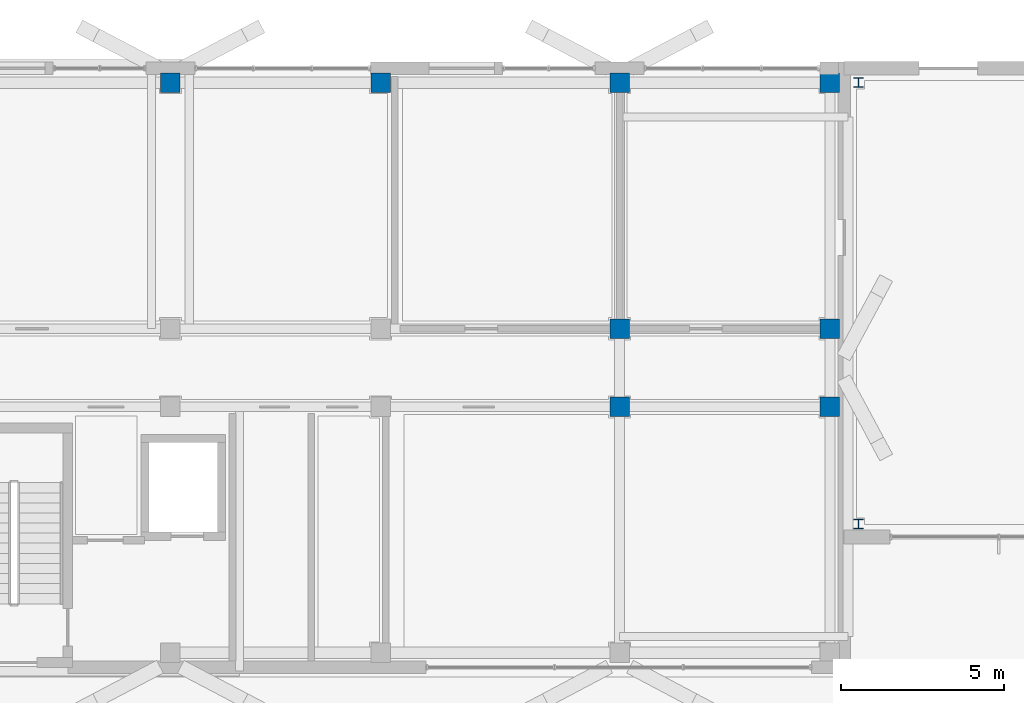
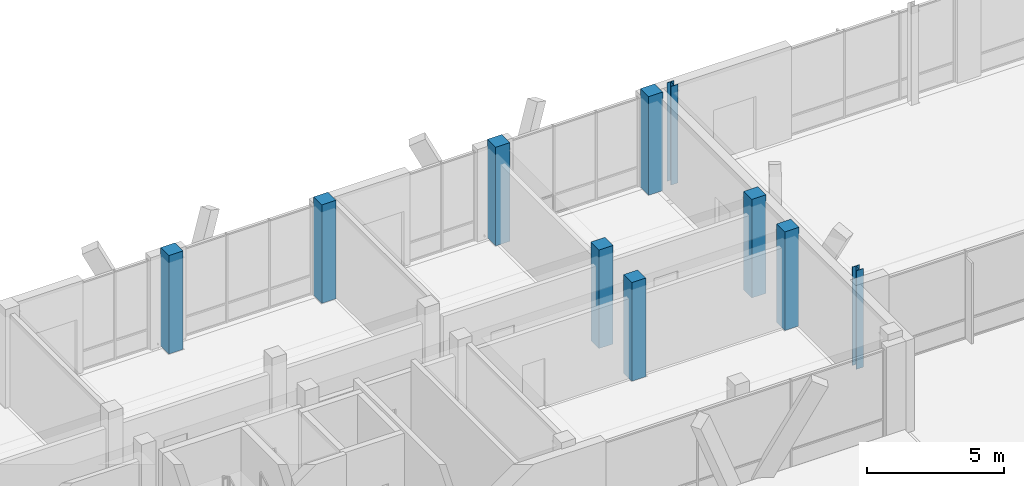
# One storey, part 8 of 233: 10 columns.
"""IFC4 building model written with IfcOpenShell, lengths in metres."""

from ifc_helpers import new_model, si_unit, direction, frame, origin, origin_2d, place, context, subcontext, project, spatial, rectangle, i_section, extrude, material, material_profile, profile_set, type_object, element, save


model = new_model("IFC4")

# Units and contexts
model_context = context("Model", 3, precision=1e-05, world=origin(), true_north=direction((0.0, 1.0)))
body_context = subcontext(model_context, "Body", "Model", "MODEL_VIEW")
ifc_project = project(units=[si_unit("LENGTHUNIT", "METRE"), si_unit("AREAUNIT", "SQUARE_METRE"), si_unit("VOLUMEUNIT", "CUBIC_METRE"), si_unit("PLANEANGLEUNIT", "RADIAN"), si_unit("MASSUNIT", "GRAM", prefix="KILO")], contexts=[model_context])

# Site, building, storey
site_placement = place(None, origin())
site = spatial("IfcSite", under=ifc_project, at=site_placement, CompositionType="ELEMENT")
building_placement = place(site_placement, origin())
building = spatial("IfcBuilding", under=site, at=building_placement, Name="Zavelmont Quarter", CompositionType="ELEMENT")
storey_placement = place(building_placement, origin())
storey = spatial("IfcBuildingStorey", under=building, at=storey_placement, Name="L00", CompositionType="ELEMENT", Elevation=0.0)

# Columns
ifc_material_1 = material(Name="Concrete C40/50", Category="concrete")
ifc_material_profile_1 = material_profile(ifc_material_1, rectangle(XDim=0.60009765625, YDim=0.60009765625, at=origin_2d()), Name="RC600X600")
ifc_profile_set_1 = profile_set([ifc_material_profile_1], Name="Concrete C40/50")
column_type_1 = type_object("IfcColumnType", Name="CL01", PredefinedType="COLUMN", material=ifc_profile_set_1)
for number, where, z_axis, x_axis, name in (
    (1, (34.5, 115.56005859375, 0.0), (0.0, 0.0, 1.0), (1.0, 0.0, 0.0), "L00 column CL01 at 6/S"),
    (2, (40.9599609375, 115.56005859375, 0.0), (0.0, 0.0, 1.0), (1.0, 0.0, 0.0), "L00 column CL01 at 7/S"),
    (3, (48.300048828125, 105.60009765625, 0.0), (0.0, 0.0, 1.0), (1.0, 0.0, 0.0), "L00 column CL01 at 8/Q"),
    (4, (48.300048828125, 108.0, 0.0), (0.0, 0.0, 1.0), (1.0, 0.0, 0.0), "L00 column CL01 at 8/R"),
    (5, (48.300048828125, 115.56005859375, 0.0), (0.0, 0.0, 1.0), (1.0, 0.0, 0.0), "L00 column CL01 at 8/S"),
    (6, (54.760009765625, 105.60009765625, 0.0), (0.0, 0.0, 1.0), (1.0, 0.0, 0.0), "L00 column CL01 at 9/Q"),
    (7, (54.760009765625, 108.0, 0.0), (0.0, 0.0, 1.0), (1.0, 0.0, 0.0), "L00 column CL01 at 9/R"),
    (8, (54.760009765625, 115.56005859375, 0.0), (0.0, 0.0, 1.0), (1.0, 0.0, 0.0), "L00 column CL01 at 9/S"),
):
    element("IfcColumn", number, at=place(storey_placement, frame(where, z_axis=z_axis, x_axis=x_axis)), inside=storey, type_object=column_type_1, Name=name, PredefinedType="COLUMN", context=body_context, shape_type="SweptSolid", body=[
        extrude(rectangle(XDim=0.60009765625, YDim=0.60009765625, at=origin_2d()), origin(), (0.0, 0.0, 1.0), 4.39990234375),
    ])
ifc_material_2 = material(Name="Steel S355", Category="steel")
ifc_material_profile_2 = material_profile(ifc_material_2, i_section(OverallWidth=0.300048828125, OverallDepth=0.300048828125, WebThickness=0.010986328125, FlangeThickness=0.01904296875, at=origin_2d()), Name="HEB 300")
ifc_profile_set_2 = profile_set([ifc_material_profile_2], Name="Steel S355")
column_type_2 = type_object("IfcColumnType", Name="CL10", PredefinedType="COLUMN", material=ifc_profile_set_2)
for number, where, z_axis, x_axis, name in (
    (9, (55.639892578125, 102.0, 0.0), (0.0, 0.0, 1.0), (1.0, 0.0, 0.0), "L00 column CL10 at 9/Q"),
    (10, (55.639892578125, 115.56005859375, 0.0), (0.0, 0.0, 1.0), (1.0, 0.0, 0.0), "L00 column CL10 at 9/S"),
):
    element("IfcColumn", number, at=place(storey_placement, frame(where, z_axis=z_axis, x_axis=x_axis)), inside=storey, type_object=column_type_2, Name=name, PredefinedType="COLUMN", context=body_context, shape_type="SweptSolid", body=[
        extrude(i_section(OverallWidth=0.300048828125, OverallDepth=0.300048828125, WebThickness=0.010986328125, FlangeThickness=0.01904296875, at=origin_2d()), origin(), (0.0, 0.0, 1.0), 4.39990234375),
    ])

save(model, "model.ifc")
